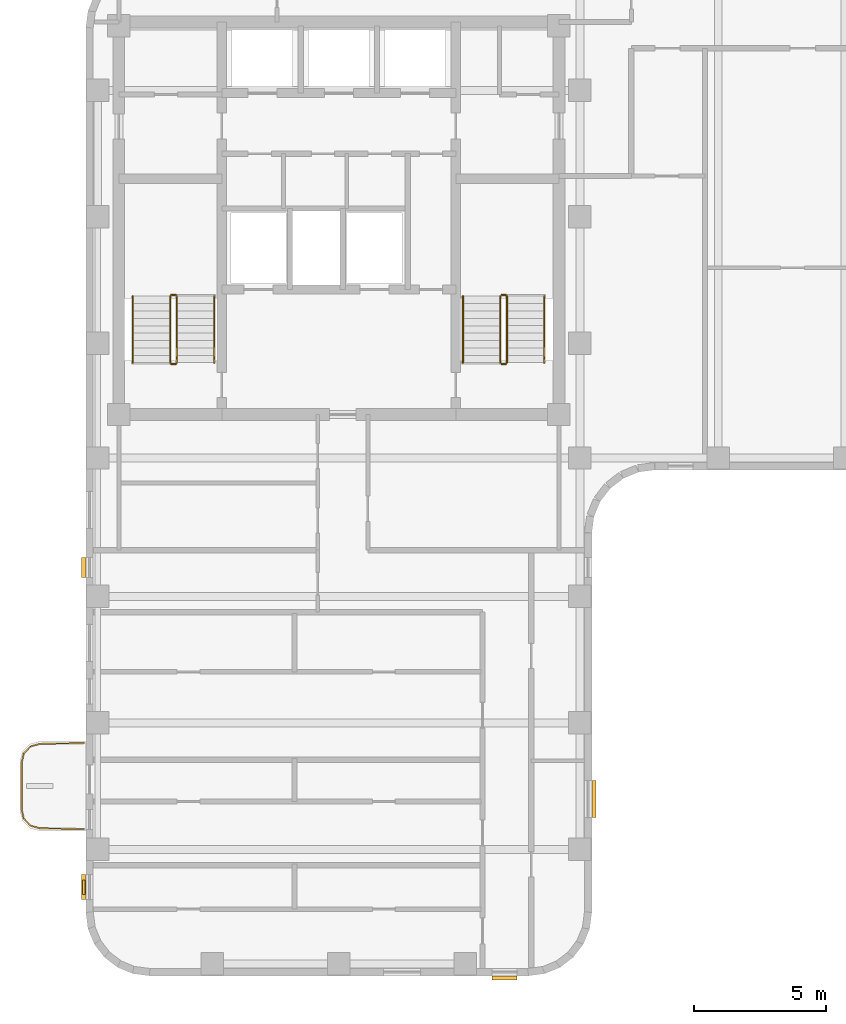
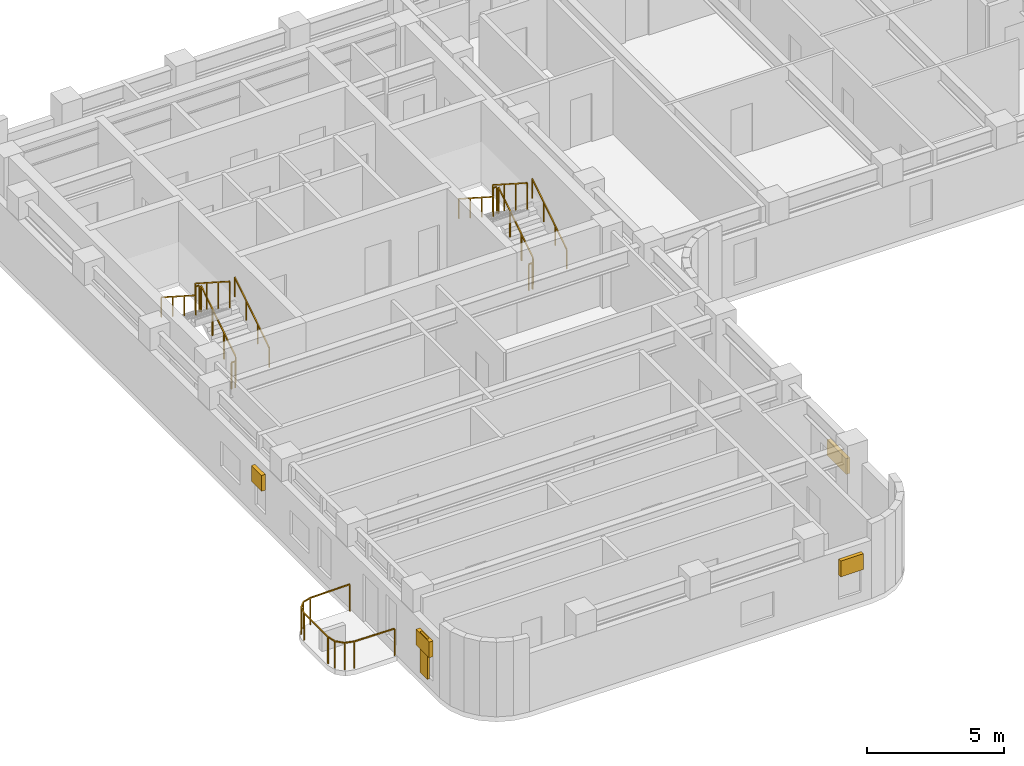
# One storey, part 7 of 8: 13 railings, 5 shading devices.
"""IFC4 building model written with IfcOpenShell, lengths in metres."""

import ifcopenshell
import ifcopenshell.guid

model = None  # the IFC model being written
_history = None  # IfcOwnerHistory: only IFC2X3 demands one
_inside = {}  # id of a spatial element -> (the spatial element, [elements in it])
_under = {}  # id of a project, library or spatial element -> (it, [spatial elements below it])
_declared = {}  # id of a project -> (the project, [libraries it declares])
_typed = {}  # id of a type object -> (the type object, [elements of that type])
_made_of = {}  # id of a material, layer set ... -> (it, [elements and type objects made of it])


def new_model(schema):
    """Start an empty IFC model of exactly this schema.

    Asked for "IFC4X3", IfcOpenShell would pick the latest addendum, in which some entities
    have other attributes; the version numbers below select the first issue.
    IFC2X3 requires an IfcOwnerHistory on every rooted entity: one is made here for all.
    """
    global model, _history
    if schema == "IFC4X3":
        model = ifcopenshell.file(schema_version=(4, 3, 0, 0))
    else:
        model = ifcopenshell.file(schema=schema)
    _inside.clear()
    _under.clear()
    _declared.clear()
    _typed.clear()
    _made_of.clear()
    _history = None
    if model.schema == "IFC2X3":
        org = make("IfcOrganization", Name="unknown")
        user = make(
            "IfcPersonAndOrganization",
            ThePerson=make("IfcPerson", FamilyName="unknown"),
            TheOrganization=org,
        )
        app = make(
            "IfcApplication",
            ApplicationDeveloper=org,
            Version="unknown",
            ApplicationFullName="unknown",
            ApplicationIdentifier="unknown",
        )
        _history = make(
            "IfcOwnerHistory",
            OwningUser=user,
            OwningApplication=app,
            ChangeAction="ADDED",
            CreationDate=0,
        )
    return model


def make(cls, **values):
    """One entity of the class cls with the attributes given. An attribute that is None is left unset."""
    return model.create_entity(
        cls, **{name: value for name, value in values.items() if value is not None}
    )


def rooted(cls, **values):
    """An entity with a GlobalId (a new one), such as an element, a storey or a relation."""
    return make(cls, GlobalId=ifcopenshell.guid.new(), OwnerHistory=_history, **values)


def si_unit(unit_type, name, prefix=None):
    """IfcSIUnit, for example si_unit("LENGTHUNIT", "METRE", prefix="MILLI")."""
    return make("IfcSIUnit", UnitType=unit_type, Prefix=prefix, Name=name)


def assignment(units):
    """IfcUnitAssignment: the units of a project."""
    return None if units is None else make("IfcUnitAssignment", Units=units)


def point(xyz):
    """IfcCartesianPoint."""
    return None if xyz is None else make("IfcCartesianPoint", Coordinates=xyz)


def direction(xyz):
    """IfcDirection."""
    return None if xyz is None else make("IfcDirection", DirectionRatios=xyz)


def frame(location, z_axis=None, x_axis=None):
    """IfcAxis2Placement3D, a coordinate frame: its origin and axes. An axis left out is left unset."""
    return make(
        "IfcAxis2Placement3D",
        Location=point(location),
        Axis=direction(z_axis),
        RefDirection=direction(x_axis),
    )


def frame_2d(location, x_axis=None):
    """IfcAxis2Placement2D, a coordinate frame in the plane: its origin and x axis."""
    return make(
        "IfcAxis2Placement2D", Location=point(location), RefDirection=direction(x_axis)
    )


def origin():
    """The frame at (0, 0, 0) with its axes left unset."""
    return frame((0.0, 0.0, 0.0))


def origin_2d():
    """The frame at (0, 0) in the plane with its x axis left unset."""
    return frame_2d((0.0, 0.0))


def place(relative_to, where):
    """IfcLocalPlacement: puts the frame where relative to a parent placement (None: the world)."""
    return make(
        "IfcLocalPlacement", PlacementRelTo=relative_to, RelativePlacement=where
    )


def context(
    kind, dimensions, precision=None, world=None, true_north=None, identifier=None
):
    """IfcGeometricRepresentationContext, for example the 3D "Model" context."""
    return make(
        "IfcGeometricRepresentationContext",
        ContextIdentifier=identifier,
        ContextType=kind,
        CoordinateSpaceDimension=dimensions,
        Precision=precision,
        WorldCoordinateSystem=world,
        TrueNorth=true_north,
    )


def subcontext(parent, identifier, kind, view, scale=None):
    """IfcGeometricRepresentationSubContext, for example "Body" below "Model"."""
    return make(
        "IfcGeometricRepresentationSubContext",
        ContextIdentifier=identifier,
        ContextType=kind,
        ParentContext=parent,
        TargetScale=scale,
        TargetView=view,
    )


def project(units=None, contexts=None):
    """IfcProject with its units and contexts."""
    return rooted(
        "IfcProject",
        Name="project",
        RepresentationContexts=contexts,
        UnitsInContext=assignment(units),
    )


def spatial(cls, under=None, at=None, **own):
    """A site, building, storey or space (cls), placed at a placement, below another one or the project."""
    s = rooted(cls, ObjectPlacement=at, **own)
    if under is not None:
        _under.setdefault(under.id(), (under, []))[1].append(s)
    return s


def profile(cls, at=None, kind="AREA", **sizes):
    """A parametric profile (cls). Its sizes go by their IFC names, for example OverallWidth=200.0."""
    return make(cls, ProfileType=kind, Position=at, **sizes)


def rectangle(**sizes):
    """IfcRectangleProfileDef."""
    return profile("IfcRectangleProfileDef", **sizes)


def extrude(swept, where, along, depth):
    """IfcExtrudedAreaSolid: the profile swept, set in the frame where, extruded along a direction by depth."""
    return make(
        "IfcExtrudedAreaSolid",
        SweptArea=swept,
        Position=where,
        ExtrudedDirection=direction(along),
        Depth=depth,
    )


def shape(context_of_items, identifier, shape_type, items):
    """IfcShapeRepresentation: the items that make up one representation, for example the "Body"."""
    return make(
        "IfcShapeRepresentation",
        ContextOfItems=context_of_items,
        RepresentationIdentifier=identifier,
        RepresentationType=shape_type,
        Items=items,
    )


def material(Name=None, Category=None):
    """IfcMaterial."""
    return make("IfcMaterial", Name=Name, Category=Category)


def made_of(thing, what):
    """Note that an element or type object is made of a material, layer set ...; save() writes the relation."""
    if what is not None:
        _made_of.setdefault(what.id(), (what, []))[1].append(thing)
    return thing


def type_object(cls, material=None, **own):
    """A type object (cls), such as IfcWallType, which elements share."""
    return made_of(rooted(cls, **own), material)


def element(
    cls,
    number,
    at=None,
    inside=None,
    cuts=None,
    type_object=None,
    material=None,
    context=None,
    identifier="Body",
    shape_type=None,
    held_by="IfcProductDefinitionShape",
    body=None,
    shapes=None,
    **own,
):
    """One element of the class cls, such as IfcWall. Its Tag is "e" and its number.

    at: its placement. inside: the storey or other place that contains it. cuts: it is an
    opening in that element (IfcRelVoidsElement). A single representation is given by context,
    identifier, shape_type and body (its items); several are given by shapes. held_by: the class
    of the entity that holds the representations. save() writes the other relations.
    """
    e = rooted(cls, Tag="e%d" % number, ObjectPlacement=at, **own)
    if body is not None:
        shapes = [shape(context, identifier, shape_type, body)]
    if shapes is not None:
        e.Representation = make(held_by, Representations=shapes)
    if inside is not None:
        _inside.setdefault(inside.id(), (inside, []))[1].append(e)
    if cuts is not None:
        rooted(
            "IfcRelVoidsElement", RelatingBuildingElement=cuts, RelatedOpeningElement=e
        )
    if type_object is not None:
        _typed.setdefault(type_object.id(), (type_object, []))[1].append(e)
    return made_of(e, material)


def aggregate(whole, parts):
    """IfcRelAggregates: a whole, such as a stair, and the parts it consists of."""
    return rooted("IfcRelAggregates", RelatingObject=whole, RelatedObjects=parts)


def save(model, path):
    """Write the relations noted so far, then the file.

    IfcRelAggregates (storeys below a building ...), IfcRelContainedInSpatialStructure (elements
    in a storey), IfcRelDefinesByType, IfcRelAssociatesMaterial and IfcRelDeclares: one each for
    every whole, place, type object, material and project.
    """
    for whole, parts in _under.values():
        aggregate(whole, parts)
    for where, things in _inside.values():
        rooted(
            "IfcRelContainedInSpatialStructure",
            RelatedElements=things,
            RelatingStructure=where,
        )
    for kind, things in _typed.values():
        rooted("IfcRelDefinesByType", RelatedObjects=things, RelatingType=kind)
    for what, things in _made_of.values():
        rooted("IfcRelAssociatesMaterial", RelatedObjects=things, RelatingMaterial=what)
    for by, libraries in _declared.values():
        rooted("IfcRelDeclares", RelatingContext=by, RelatedDefinitions=libraries)
    model.write(path)


model = new_model("IFC4")

# Units and contexts
model_context = context("Model", 3, precision=1e-05, world=origin(), true_north=direction((0.0, 1.0)))
body_context = subcontext(model_context, "Body", "Model", "MODEL_VIEW")
ifc_project = project(units=[si_unit("LENGTHUNIT", "METRE"), si_unit("AREAUNIT", "SQUARE_METRE"), si_unit("VOLUMEUNIT", "CUBIC_METRE"), si_unit("PLANEANGLEUNIT", "RADIAN"), si_unit("MASSUNIT", "GRAM", prefix="KILO")], contexts=[model_context])

# Site, building, storey
site_placement = place(None, origin())
site = spatial("IfcSite", under=ifc_project, at=site_placement, CompositionType="ELEMENT")
building_placement = place(site_placement, origin())
building = spatial("IfcBuilding", under=site, at=building_placement, Name="Orvandelia Arch Residences", CompositionType="ELEMENT")
storey_placement = place(building_placement, frame((0.0, 0.0, 236.199951171875)))
storey = spatial("IfcBuildingStorey", under=building, at=storey_placement, Name="L62", CompositionType="ELEMENT", Elevation=236.199951171875)

# Railings
ifc_material_1 = material(Name="Marine-Grade Stainless Steel 316", Category="steel")
railing_type_1 = type_object("IfcRailingType", Name="GRD-BAL-1200", PredefinedType="BALUSTRADE", material=ifc_material_1)
railing_1_placement = place(storey_placement, frame((4.728271484375, 18.430419921875, 0.0)))
element("IfcRailing", 1, at=railing_1_placement, inside=storey, type_object=railing_type_1, Name="Safety Balustrade Guard GRD-L62-BAL-L62-W1-1", PredefinedType="BALUSTRADE", context=body_context, shape_type="SweptSolid", body=[
    extrude(rectangle(XDim=0.048095703125, YDim=0.048095703125, at=origin_2d()), frame((0.0, 0.0, 1.19580078125), z_axis=(-0.999834751713, -0.018178813668, 0.0), x_axis=(0.018178813668, -0.999834751713, 0.0)), (0.0, 0.0, 1.0), 1.6787109375),
    extrude(rectangle(XDim=0.048095703125, YDim=0.048095703125, at=origin_2d()), frame((-1.678466796875, -0.030517578125, 1.19580078125), z_axis=(-0.96348920644, -0.267747173792, 0.0), x_axis=(0.267747173792, -0.96348920644, 0.0)), (0.0, 0.0, 1.0), 0.36572265625),
    extrude(rectangle(XDim=0.048095703125, YDim=0.048095703125, at=origin_2d()), frame((-2.03076171875, -0.12841796875, 1.19580078125), z_axis=(-0.688627404251, -0.725115368831, 0.0), x_axis=(0.725115368831, -0.688627404251, 0.0)), (0.0, 0.0, 1.0), 0.367919921875),
    extrude(rectangle(XDim=0.048095703125, YDim=0.048095703125, at=origin_2d()), frame((-2.2841796875, -0.395263671875, 1.19580078125), z_axis=(-0.220602419982, -0.975363815352, 0.0), x_axis=(0.975363815352, -0.220602419982, 0.0)), (0.0, 0.0, 1.0), 0.373046875),
    extrude(rectangle(XDim=0.048095703125, YDim=0.048095703125, at=origin_2d()), frame((-2.366455078125, -0.759033203125, 1.19580078125), z_axis=(0.0, -1.0, 0.0), x_axis=(1.0, 0.0, 0.0)), (0.0, 0.0, 1.0), 1.74267578125),
    extrude(rectangle(XDim=0.048095703125, YDim=0.048095703125, at=origin_2d()), frame((-2.366455078125, -2.501708984375, 1.19580078125), z_axis=(0.220602419982, -0.975363815352, 0.0), x_axis=(0.975363815352, 0.220602419982, 0.0)), (0.0, 0.0, 1.0), 0.373046875),
    extrude(rectangle(XDim=0.048095703125, YDim=0.048095703125, at=origin_2d()), frame((-2.2841796875, -2.865478515625, 1.19580078125), z_axis=(0.688296224633, -0.725429739642, 0.0), x_axis=(0.725429739642, 0.688296224633, 0.0)), (0.0, 0.0, 1.0), 0.3681640625),
    extrude(rectangle(XDim=0.048095703125, YDim=0.048095703125, at=origin_2d()), frame((-2.03076171875, -3.132568359375, 1.19580078125), z_axis=(0.96348920644, -0.267747173792, 0.0), x_axis=(0.267747173792, 0.96348920644, 0.0)), (0.0, 0.0, 1.0), 0.36572265625),
    extrude(rectangle(XDim=0.048095703125, YDim=0.048095703125, at=origin_2d()), frame((-1.678466796875, -3.23046875, 1.19580078125), z_axis=(0.999837384468, -0.018033430643, 0.0), x_axis=(0.018033430643, 0.999837384468, 0.0)), (0.0, 0.0, 1.0), 1.6787109375),
    extrude(rectangle(XDim=0.0419921875, YDim=0.0419921875, at=origin_2d()), origin(), (0.0, 0.0, 1.0), 1.171875),
    extrude(rectangle(XDim=0.0419921875, YDim=0.0419921875, at=origin_2d()), frame((-1.678466796875, -0.030517578125, 0.0)), (0.0, 0.0, 1.0), 1.171875),
    extrude(rectangle(XDim=0.0419921875, YDim=0.0419921875, at=origin_2d()), frame((-2.03076171875, -0.12841796875, 0.0)), (0.0, 0.0, 1.0), 1.171875),
    extrude(rectangle(XDim=0.0419921875, YDim=0.0419921875, at=origin_2d()), frame((-2.2841796875, -0.395263671875, 0.0)), (0.0, 0.0, 1.0), 1.171875),
    extrude(rectangle(XDim=0.0419921875, YDim=0.0419921875, at=origin_2d()), frame((-2.366455078125, -0.759033203125, 0.0)), (0.0, 0.0, 1.0), 1.171875),
    extrude(rectangle(XDim=0.0419921875, YDim=0.0419921875, at=origin_2d()), frame((-2.366455078125, -2.501708984375, 0.0)), (0.0, 0.0, 1.0), 1.171875),
    extrude(rectangle(XDim=0.0419921875, YDim=0.0419921875, at=origin_2d()), frame((-2.2841796875, -2.865478515625, 0.0)), (0.0, 0.0, 1.0), 1.171875),
    extrude(rectangle(XDim=0.0419921875, YDim=0.0419921875, at=origin_2d()), frame((-2.03076171875, -3.132568359375, 0.0)), (0.0, 0.0, 1.0), 1.171875),
    extrude(rectangle(XDim=0.0419921875, YDim=0.0419921875, at=origin_2d()), frame((-1.678466796875, -3.23046875, 0.0)), (0.0, 0.0, 1.0), 1.171875),
    extrude(rectangle(XDim=0.0419921875, YDim=0.0419921875, at=origin_2d()), frame((0.0, -3.2607421875, 0.0)), (0.0, 0.0, 1.0), 1.171875),
])
ifc_material_2 = material(Name="Brushed Stainless Steel 304", Category="steel")
railing_type_2 = type_object("IfcRailingType", Name="RL-STAIR-GD1120", PredefinedType="GUARDRAIL", material=ifc_material_2)
railing_2_placement = place(storey_placement, frame((8.25, 32.8701171875, 0.179931640625)))
element("IfcRailing", 2, at=railing_2_placement, inside=storey, type_object=railing_type_2, Name="L62 ST-1 stair guard 1", PredefinedType="GUARDRAIL", context=body_context, shape_type="SweptSolid", body=[
    extrude(rectangle(XDim=0.048095703125, YDim=0.048095703125, at=origin_2d()), frame((0.0, 0.0, 1.17578125), z_axis=(0.0, 0.841138753965, 0.540819375188), x_axis=(-1.0, 0.0, 0.0)), (0.0, 0.0, 1.0), 2.99560546875),
    extrude(rectangle(XDim=0.0419921875, YDim=0.0419921875, at=origin_2d()), origin(), (0.0, 0.0, 1.0), 1.15185546875),
    extrude(rectangle(XDim=0.0419921875, YDim=0.0419921875, at=origin_2d()), frame((0.0, 0.83984375, 0.5400390625)), (0.0, 0.0, 1.0), 1.15185546875),
    extrude(rectangle(XDim=0.0419921875, YDim=0.0419921875, at=origin_2d()), frame((0.0, 1.679931640625, 1.080078125)), (0.0, 0.0, 1.0), 1.15185546875),
    extrude(rectangle(XDim=0.0419921875, YDim=0.0419921875, at=origin_2d()), frame((0.0, 2.519775390625, 1.6201171875)), (0.0, 0.0, 1.0), 1.15185546875),
])
railing_3_placement = place(storey_placement, frame((8.199951171875, 35.43994140625, 1.800048828125)))
element("IfcRailing", 3, at=railing_3_placement, inside=storey, type_object=railing_type_2, Name="L62 ST-1 stair guard 2", PredefinedType="GUARDRAIL", context=body_context, shape_type="SweptSolid", body=[
    extrude(rectangle(XDim=0.048095703125, YDim=0.048095703125, at=origin_2d()), frame((0.0, 0.0, 1.17578125), z_axis=(-1.0, 0.0, 0.0), x_axis=(0.0, -1.0, 0.0)), (0.0, 0.0, 1.0), 0.14990234375),
    extrude(rectangle(XDim=0.0419921875, YDim=0.0419921875, at=origin_2d()), origin(), (0.0, 0.0, 1.0), 1.15185546875),
    extrude(rectangle(XDim=0.0419921875, YDim=0.0419921875, at=origin_2d()), frame((-0.14990234375, 0.0, 0.0)), (0.0, 0.0, 1.0), 1.15185546875),
])
railing_4_placement = place(storey_placement, frame((8.0, 35.389892578125, 1.97998046875)))
element("IfcRailing", 4, at=railing_4_placement, inside=storey, type_object=railing_type_2, Name="L62 ST-1 stair guard 3", PredefinedType="GUARDRAIL", context=body_context, shape_type="SweptSolid", body=[
    extrude(rectangle(XDim=0.048095703125, YDim=0.048095703125, at=origin_2d()), frame((0.0, 0.0, 1.17578125), z_axis=(0.0, -0.841138753965, 0.540819375188), x_axis=(1.0, 0.0, 0.0)), (0.0, 0.0, 1.0), 2.99560546875),
    extrude(rectangle(XDim=0.0419921875, YDim=0.0419921875, at=origin_2d()), origin(), (0.0, 0.0, 1.0), 1.15185546875),
    extrude(rectangle(XDim=0.0419921875, YDim=0.0419921875, at=origin_2d()), frame((0.0, -0.83984375, 0.5400390625)), (0.0, 0.0, 1.0), 1.15185546875),
    extrude(rectangle(XDim=0.0419921875, YDim=0.0419921875, at=origin_2d()), frame((0.0, -1.679931640625, 1.080078125)), (0.0, 0.0, 1.0), 1.15185546875),
    extrude(rectangle(XDim=0.0419921875, YDim=0.0419921875, at=origin_2d()), frame((0.0, -2.519775390625, 1.6201171875)), (0.0, 0.0, 1.0), 1.15185546875),
])
railing_5_placement = place(storey_placement, frame((8.199951171875, 32.820068359375, 0.0)))
element("IfcRailing", 5, at=railing_5_placement, inside=storey, type_object=railing_type_2, Name="L62 ST-1 stair guard 4", PredefinedType="GUARDRAIL", context=body_context, shape_type="SweptSolid", body=[
    extrude(rectangle(XDim=0.048095703125, YDim=0.048095703125, at=origin_2d()), frame((0.0, 0.0, 1.17578125), z_axis=(-1.0, 0.0, 0.0), x_axis=(0.0, -1.0, 0.0)), (0.0, 0.0, 1.0), 0.14990234375),
    extrude(rectangle(XDim=0.0419921875, YDim=0.0419921875, at=origin_2d()), origin(), (0.0, 0.0, 1.0), 1.15185546875),
    extrude(rectangle(XDim=0.0419921875, YDim=0.0419921875, at=origin_2d()), frame((-0.14990234375, 0.0, 0.0)), (0.0, 0.0, 1.0), 1.15185546875),
])
railing_6_placement = place(storey_placement, frame((20.780029296875, 32.8701171875, 0.179931640625)))
element("IfcRailing", 6, at=railing_6_placement, inside=storey, type_object=railing_type_2, Name="L62 ST-2 stair guard 1", PredefinedType="GUARDRAIL", context=body_context, shape_type="SweptSolid", body=[
    extrude(rectangle(XDim=0.048095703125, YDim=0.048095703125, at=origin_2d()), frame((0.0, 0.0, 1.17578125), z_axis=(0.0, 0.841138753965, 0.540819375188), x_axis=(-1.0, 0.0, 0.0)), (0.0, 0.0, 1.0), 2.99560546875),
    extrude(rectangle(XDim=0.0419921875, YDim=0.0419921875, at=origin_2d()), origin(), (0.0, 0.0, 1.0), 1.15185546875),
    extrude(rectangle(XDim=0.0419921875, YDim=0.0419921875, at=origin_2d()), frame((0.0, 0.83984375, 0.5400390625)), (0.0, 0.0, 1.0), 1.15185546875),
    extrude(rectangle(XDim=0.0419921875, YDim=0.0419921875, at=origin_2d()), frame((0.0, 1.679931640625, 1.080078125)), (0.0, 0.0, 1.0), 1.15185546875),
    extrude(rectangle(XDim=0.0419921875, YDim=0.0419921875, at=origin_2d()), frame((0.0, 2.519775390625, 1.6201171875)), (0.0, 0.0, 1.0), 1.15185546875),
])
railing_7_placement = place(storey_placement, frame((20.72998046875, 35.43994140625, 1.800048828125)))
element("IfcRailing", 7, at=railing_7_placement, inside=storey, type_object=railing_type_2, Name="L62 ST-2 stair guard 2", PredefinedType="GUARDRAIL", context=body_context, shape_type="SweptSolid", body=[
    extrude(rectangle(XDim=0.048095703125, YDim=0.048095703125, at=origin_2d()), frame((0.0, 0.0, 1.17578125), z_axis=(-1.0, 0.0, 0.0), x_axis=(0.0, -1.0, 0.0)), (0.0, 0.0, 1.0), 0.14990234375),
    extrude(rectangle(XDim=0.0419921875, YDim=0.0419921875, at=origin_2d()), origin(), (0.0, 0.0, 1.0), 1.15185546875),
    extrude(rectangle(XDim=0.0419921875, YDim=0.0419921875, at=origin_2d()), frame((-0.14990234375, 0.0, 0.0)), (0.0, 0.0, 1.0), 1.15185546875),
])
railing_8_placement = place(storey_placement, frame((20.530029296875, 35.389892578125, 1.97998046875)))
element("IfcRailing", 8, at=railing_8_placement, inside=storey, type_object=railing_type_2, Name="L62 ST-2 stair guard 3", PredefinedType="GUARDRAIL", context=body_context, shape_type="SweptSolid", body=[
    extrude(rectangle(XDim=0.048095703125, YDim=0.048095703125, at=origin_2d()), frame((0.0, 0.0, 1.17578125), z_axis=(0.0, -0.841138753965, 0.540819375188), x_axis=(1.0, 0.0, 0.0)), (0.0, 0.0, 1.0), 2.99560546875),
    extrude(rectangle(XDim=0.0419921875, YDim=0.0419921875, at=origin_2d()), origin(), (0.0, 0.0, 1.0), 1.15185546875),
    extrude(rectangle(XDim=0.0419921875, YDim=0.0419921875, at=origin_2d()), frame((0.0, -0.83984375, 0.5400390625)), (0.0, 0.0, 1.0), 1.15185546875),
    extrude(rectangle(XDim=0.0419921875, YDim=0.0419921875, at=origin_2d()), frame((0.0, -1.679931640625, 1.080078125)), (0.0, 0.0, 1.0), 1.15185546875),
    extrude(rectangle(XDim=0.0419921875, YDim=0.0419921875, at=origin_2d()), frame((0.0, -2.519775390625, 1.6201171875)), (0.0, 0.0, 1.0), 1.15185546875),
])
railing_9_placement = place(storey_placement, frame((20.72998046875, 32.820068359375, 0.0)))
element("IfcRailing", 9, at=railing_9_placement, inside=storey, type_object=railing_type_2, Name="L62 ST-2 stair guard 4", PredefinedType="GUARDRAIL", context=body_context, shape_type="SweptSolid", body=[
    extrude(rectangle(XDim=0.048095703125, YDim=0.048095703125, at=origin_2d()), frame((0.0, 0.0, 1.17578125), z_axis=(-1.0, 0.0, 0.0), x_axis=(0.0, -1.0, 0.0)), (0.0, 0.0, 1.0), 0.14990234375),
    extrude(rectangle(XDim=0.0419921875, YDim=0.0419921875, at=origin_2d()), origin(), (0.0, 0.0, 1.0), 1.15185546875),
    extrude(rectangle(XDim=0.0419921875, YDim=0.0419921875, at=origin_2d()), frame((-0.14990234375, 0.0, 0.0)), (0.0, 0.0, 1.0), 1.15185546875),
])
railing_type_3 = type_object("IfcRailingType", Name="RL-STAIR-HR920", PredefinedType="HANDRAIL", material=ifc_material_2)
railing_10_placement = place(storey_placement, frame((9.669921875, 32.8701171875, 0.360107421875)))
element("IfcRailing", 10, at=railing_10_placement, inside=storey, type_object=railing_type_3, Name="L62 ST-1 stair handrail 1", PredefinedType="HANDRAIL", context=body_context, shape_type="SweptSolid", body=[
    extrude(rectangle(XDim=0.048095703125, YDim=0.048095703125, at=origin_2d()), frame((0.0, 0.0, 0.8759765625), z_axis=(0.0, 0.841175827307, 0.540761710511), x_axis=(-1.0, 0.0, 0.0)), (0.0, 0.0, 1.0), 2.99560546875),
    extrude(rectangle(XDim=0.0419921875, YDim=0.0419921875, at=origin_2d()), origin(), (0.0, 0.0, 1.0), 0.851806640625),
    extrude(rectangle(XDim=0.0419921875, YDim=0.0419921875, at=origin_2d()), frame((0.0, 0.83984375, 0.5400390625)), (0.0, 0.0, 1.0), 0.851806640625),
    extrude(rectangle(XDim=0.0419921875, YDim=0.0419921875, at=origin_2d()), frame((0.0, 1.679931640625, 1.079833984375)), (0.0, 0.0, 1.0), 0.851806640625),
    extrude(rectangle(XDim=0.0419921875, YDim=0.0419921875, at=origin_2d()), frame((0.0, 2.519775390625, 1.619873046875)), (0.0, 0.0, 1.0), 0.851806640625),
])
railing_11_placement = place(storey_placement, frame((6.580078125, 35.389892578125, 2.16015625)))
element("IfcRailing", 11, at=railing_11_placement, inside=storey, type_object=railing_type_3, Name="L62 ST-1 stair handrail 2", PredefinedType="HANDRAIL", context=body_context, shape_type="SweptSolid", body=[
    extrude(rectangle(XDim=0.048095703125, YDim=0.048095703125, at=origin_2d()), frame((0.0, 0.0, 0.8759765625), z_axis=(0.0, -0.841175827307, 0.540761710511), x_axis=(1.0, 0.0, 0.0)), (0.0, 0.0, 1.0), 2.99560546875),
    extrude(rectangle(XDim=0.0419921875, YDim=0.0419921875, at=origin_2d()), origin(), (0.0, 0.0, 1.0), 0.851806640625),
    extrude(rectangle(XDim=0.0419921875, YDim=0.0419921875, at=origin_2d()), frame((0.0, -0.83984375, 0.5400390625)), (0.0, 0.0, 1.0), 0.851806640625),
    extrude(rectangle(XDim=0.0419921875, YDim=0.0419921875, at=origin_2d()), frame((0.0, -1.679931640625, 1.079833984375)), (0.0, 0.0, 1.0), 0.851806640625),
    extrude(rectangle(XDim=0.0419921875, YDim=0.0419921875, at=origin_2d()), frame((0.0, -2.519775390625, 1.619873046875)), (0.0, 0.0, 1.0), 0.851806640625),
])
railing_12_placement = place(storey_placement, frame((22.199951171875, 32.8701171875, 0.360107421875)))
element("IfcRailing", 12, at=railing_12_placement, inside=storey, type_object=railing_type_3, Name="L62 ST-2 stair handrail 1", PredefinedType="HANDRAIL", context=body_context, shape_type="SweptSolid", body=[
    extrude(rectangle(XDim=0.048095703125, YDim=0.048095703125, at=origin_2d()), frame((0.0, 0.0, 0.8759765625), z_axis=(0.0, 0.841175827307, 0.540761710511), x_axis=(-1.0, 0.0, 0.0)), (0.0, 0.0, 1.0), 2.99560546875),
    extrude(rectangle(XDim=0.0419921875, YDim=0.0419921875, at=origin_2d()), origin(), (0.0, 0.0, 1.0), 0.851806640625),
    extrude(rectangle(XDim=0.0419921875, YDim=0.0419921875, at=origin_2d()), frame((0.0, 0.83984375, 0.5400390625)), (0.0, 0.0, 1.0), 0.851806640625),
    extrude(rectangle(XDim=0.0419921875, YDim=0.0419921875, at=origin_2d()), frame((0.0, 1.679931640625, 1.079833984375)), (0.0, 0.0, 1.0), 0.851806640625),
    extrude(rectangle(XDim=0.0419921875, YDim=0.0419921875, at=origin_2d()), frame((0.0, 2.519775390625, 1.619873046875)), (0.0, 0.0, 1.0), 0.851806640625),
])
railing_13_placement = place(storey_placement, frame((19.110107421875, 35.389892578125, 2.16015625)))
element("IfcRailing", 13, at=railing_13_placement, inside=storey, type_object=railing_type_3, Name="L62 ST-2 stair handrail 2", PredefinedType="HANDRAIL", context=body_context, shape_type="SweptSolid", body=[
    extrude(rectangle(XDim=0.048095703125, YDim=0.048095703125, at=origin_2d()), frame((0.0, 0.0, 0.8759765625), z_axis=(0.0, -0.841175827307, 0.540761710511), x_axis=(1.0, 0.0, 0.0)), (0.0, 0.0, 1.0), 2.99560546875),
    extrude(rectangle(XDim=0.0419921875, YDim=0.0419921875, at=origin_2d()), origin(), (0.0, 0.0, 1.0), 0.851806640625),
    extrude(rectangle(XDim=0.0419921875, YDim=0.0419921875, at=origin_2d()), frame((0.0, -0.83984375, 0.5400390625)), (0.0, 0.0, 1.0), 0.851806640625),
    extrude(rectangle(XDim=0.0419921875, YDim=0.0419921875, at=origin_2d()), frame((0.0, -1.679931640625, 1.079833984375)), (0.0, 0.0, 1.0), 0.851806640625),
    extrude(rectangle(XDim=0.0419921875, YDim=0.0419921875, at=origin_2d()), frame((0.0, -2.519775390625, 1.619873046875)), (0.0, 0.0, 1.0), 0.851806640625),
])

# Shading devices
ifc_material_3 = material(Name="Anodised Champagne-Bronze Extruded Aluminium", Category="aluminium")
shading_device_type_1 = type_object("IfcShadingDeviceType", Name="SHD-JALOUSIE-SCREEN", PredefinedType="JALOUSIE", material=ifc_material_3)
shading_device_1_placement = place(storey_placement, frame((24.080078125, 16.302490234375, 1.05029296875), z_axis=(0.0, 0.0, 1.0), x_axis=(0.0, -1.0, 0.0)))
element("IfcShadingDevice", 14, at=shading_device_1_placement, inside=storey, type_object=shading_device_type_1, Name="Bronze Jalousie Sun-Shade L62-004", PredefinedType="JALOUSIE", context=body_context, shape_type="SweptSolid", body=[
    extrude(rectangle(XDim=1.39990234375, YDim=0.159912109375, at=origin_2d()), origin(), (0.0, 0.0, 1.0), 0.699951171875),
])
for number, where, z_axis, x_axis, name in (
    (15, (20.695068359375, 9.52001953125, 1.55029296875), (0.0, 0.0, 1.0), (-1.0, 0.0, 0.0), "Bronze Jalousie Sun-Shade L62-005"),
    (16, (4.719970703125, 12.965087890625, 1.55029296875), (0.0, 0.0, 1.0), (0.0, 1.0, 0.0), "Bronze Jalousie Sun-Shade L62-006"),
):
    element("IfcShadingDevice", number, at=place(storey_placement, frame(where, z_axis=z_axis, x_axis=x_axis)), inside=storey, type_object=shading_device_type_1, Name=name, PredefinedType="JALOUSIE", context=body_context, shape_type="SweptSolid", body=[
        extrude(rectangle(XDim=0.949951171875, YDim=0.159912109375, at=origin_2d()), origin(), (0.0, 0.0, 1.0), 0.699951171875),
    ])
shading_device_2_placement = place(storey_placement, frame((4.719970703125, 25.092529296875, 1.55029296875), z_axis=(0.0, 0.0, 1.0), x_axis=(0.0, 1.0, 0.0)))
element("IfcShadingDevice", 17, at=shading_device_2_placement, inside=storey, type_object=shading_device_type_1, Name="Bronze Jalousie Sun-Shade L62-007", PredefinedType="JALOUSIE", context=body_context, shape_type="SweptSolid", body=[
    extrude(rectangle(XDim=0.75, YDim=0.159912109375, at=origin_2d()), origin(), (0.0, 0.0, 1.0), 0.699951171875),
])
ifc_material_4 = material(Name="Marine-Grade Perforated Aluminium Storm Shutter", Category="aluminium")
shading_device_type_2 = type_object("IfcShadingDeviceType", Name="SHD-STORM-SHUTTER", PredefinedType="SHUTTER", material=ifc_material_4)
shading_device_3_placement = place(storey_placement, frame((4.719970703125, 12.965087890625, 0.4501953125), z_axis=(0.0, 0.0, 1.0), x_axis=(0.0, 1.0, 0.0)))
element("IfcShadingDevice", 18, at=shading_device_3_placement, inside=storey, type_object=shading_device_type_2, Name="Operable Typhoon Storm Shutter L62-006", PredefinedType="SHUTTER", context=body_context, shape_type="SweptSolid", body=[
    extrude(rectangle(XDim=0.550048828125, YDim=0.080078125, at=origin_2d()), origin(), (0.0, 0.0, 1.0), 1.800048828125),
])

save(model, "model.ifc")
